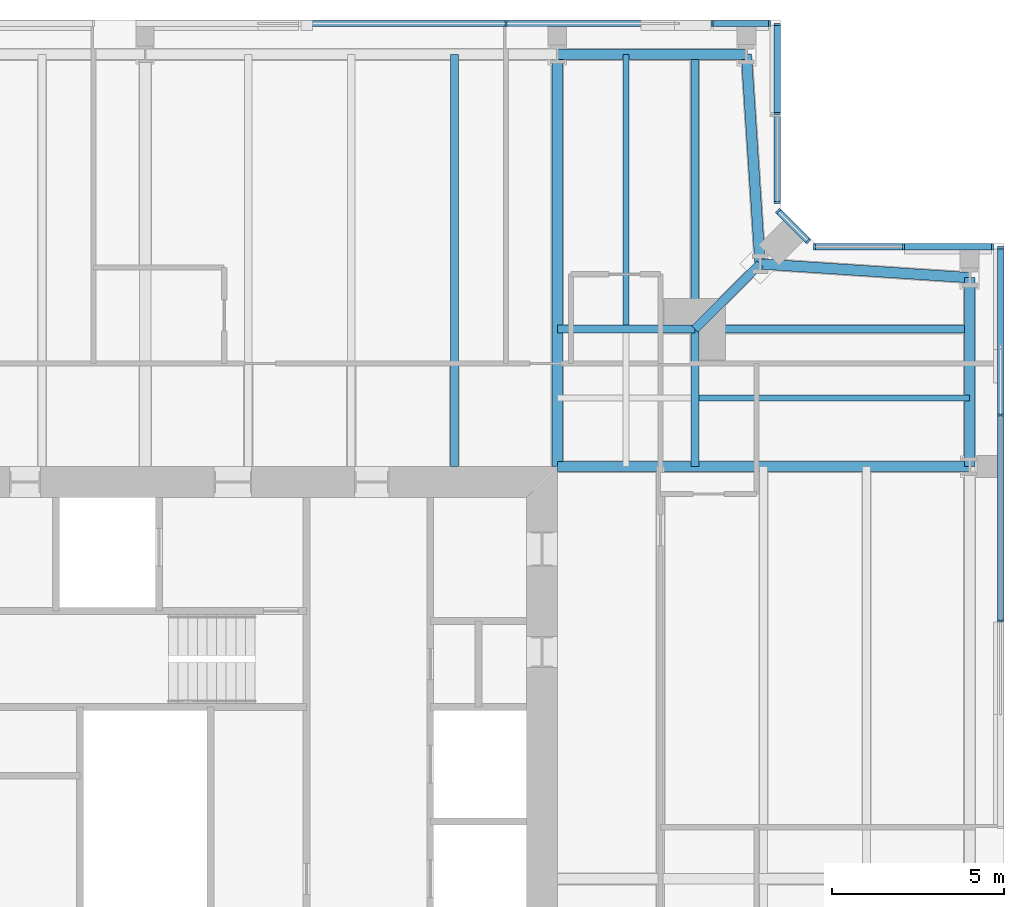
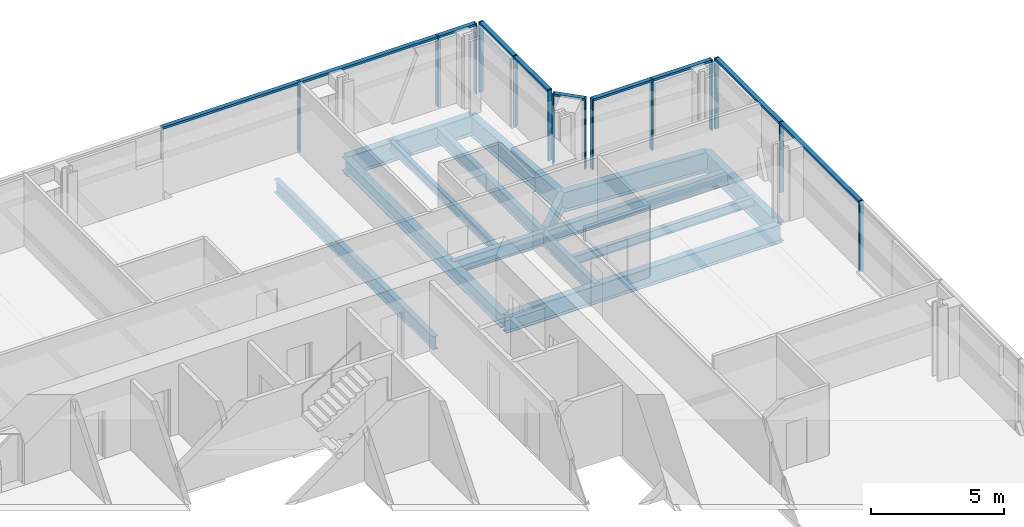
# One storey, part 9 of 20: 24 members, 14 beams, 5 elements without a shape of their own.
"""IFC4 building model written with IfcOpenShell, lengths in metres."""

import ifcopenshell
import ifcopenshell.guid

model = None  # the IFC model being written
_history = None  # IfcOwnerHistory: only IFC2X3 demands one
_inside = {}  # id of a spatial element -> (the spatial element, [elements in it])
_under = {}  # id of a project, library or spatial element -> (it, [spatial elements below it])
_declared = {}  # id of a project -> (the project, [libraries it declares])
_typed = {}  # id of a type object -> (the type object, [elements of that type])
_made_of = {}  # id of a material, layer set ... -> (it, [elements and type objects made of it])


def new_model(schema):
    """Start an empty IFC model of exactly this schema.

    Asked for "IFC4X3", IfcOpenShell would pick the latest addendum, in which some entities
    have other attributes; the version numbers below select the first issue.
    IFC2X3 requires an IfcOwnerHistory on every rooted entity: one is made here for all.
    """
    global model, _history
    if schema == "IFC4X3":
        model = ifcopenshell.file(schema_version=(4, 3, 0, 0))
    else:
        model = ifcopenshell.file(schema=schema)
    _inside.clear()
    _under.clear()
    _declared.clear()
    _typed.clear()
    _made_of.clear()
    _history = None
    if model.schema == "IFC2X3":
        org = make("IfcOrganization", Name="unknown")
        user = make(
            "IfcPersonAndOrganization",
            ThePerson=make("IfcPerson", FamilyName="unknown"),
            TheOrganization=org,
        )
        app = make(
            "IfcApplication",
            ApplicationDeveloper=org,
            Version="unknown",
            ApplicationFullName="unknown",
            ApplicationIdentifier="unknown",
        )
        _history = make(
            "IfcOwnerHistory",
            OwningUser=user,
            OwningApplication=app,
            ChangeAction="ADDED",
            CreationDate=0,
        )
    return model


def make(cls, **values):
    """One entity of the class cls with the attributes given. An attribute that is None is left unset."""
    return model.create_entity(
        cls, **{name: value for name, value in values.items() if value is not None}
    )


def rooted(cls, **values):
    """An entity with a GlobalId (a new one), such as an element, a storey or a relation."""
    return make(cls, GlobalId=ifcopenshell.guid.new(), OwnerHistory=_history, **values)


def si_unit(unit_type, name, prefix=None):
    """IfcSIUnit, for example si_unit("LENGTHUNIT", "METRE", prefix="MILLI")."""
    return make("IfcSIUnit", UnitType=unit_type, Prefix=prefix, Name=name)


def assignment(units):
    """IfcUnitAssignment: the units of a project."""
    return None if units is None else make("IfcUnitAssignment", Units=units)


def point(xyz):
    """IfcCartesianPoint."""
    return None if xyz is None else make("IfcCartesianPoint", Coordinates=xyz)


def direction(xyz):
    """IfcDirection."""
    return None if xyz is None else make("IfcDirection", DirectionRatios=xyz)


def frame(location, z_axis=None, x_axis=None):
    """IfcAxis2Placement3D, a coordinate frame: its origin and axes. An axis left out is left unset."""
    return make(
        "IfcAxis2Placement3D",
        Location=point(location),
        Axis=direction(z_axis),
        RefDirection=direction(x_axis),
    )


def frame_2d(location, x_axis=None):
    """IfcAxis2Placement2D, a coordinate frame in the plane: its origin and x axis."""
    return make(
        "IfcAxis2Placement2D", Location=point(location), RefDirection=direction(x_axis)
    )


def origin():
    """The frame at (0, 0, 0) with its axes left unset."""
    return frame((0.0, 0.0, 0.0))


def origin_2d():
    """The frame at (0, 0) in the plane with its x axis left unset."""
    return frame_2d((0.0, 0.0))


def place(relative_to, where):
    """IfcLocalPlacement: puts the frame where relative to a parent placement (None: the world)."""
    return make(
        "IfcLocalPlacement", PlacementRelTo=relative_to, RelativePlacement=where
    )


def context(
    kind, dimensions, precision=None, world=None, true_north=None, identifier=None
):
    """IfcGeometricRepresentationContext, for example the 3D "Model" context."""
    return make(
        "IfcGeometricRepresentationContext",
        ContextIdentifier=identifier,
        ContextType=kind,
        CoordinateSpaceDimension=dimensions,
        Precision=precision,
        WorldCoordinateSystem=world,
        TrueNorth=true_north,
    )


def subcontext(parent, identifier, kind, view, scale=None):
    """IfcGeometricRepresentationSubContext, for example "Body" below "Model"."""
    return make(
        "IfcGeometricRepresentationSubContext",
        ContextIdentifier=identifier,
        ContextType=kind,
        ParentContext=parent,
        TargetScale=scale,
        TargetView=view,
    )


def project(units=None, contexts=None):
    """IfcProject with its units and contexts."""
    return rooted(
        "IfcProject",
        Name="project",
        RepresentationContexts=contexts,
        UnitsInContext=assignment(units),
    )


def spatial(cls, under=None, at=None, **own):
    """A site, building, storey or space (cls), placed at a placement, below another one or the project."""
    s = rooted(cls, ObjectPlacement=at, **own)
    if under is not None:
        _under.setdefault(under.id(), (under, []))[1].append(s)
    return s


def profile(cls, at=None, kind="AREA", **sizes):
    """A parametric profile (cls). Its sizes go by their IFC names, for example OverallWidth=200.0."""
    return make(cls, ProfileType=kind, Position=at, **sizes)


def rectangle(**sizes):
    """IfcRectangleProfileDef."""
    return profile("IfcRectangleProfileDef", **sizes)


def i_section(**sizes):
    """IfcIShapeProfileDef."""
    return profile("IfcIShapeProfileDef", **sizes)


def extrude(swept, where, along, depth):
    """IfcExtrudedAreaSolid: the profile swept, set in the frame where, extruded along a direction by depth."""
    return make(
        "IfcExtrudedAreaSolid",
        SweptArea=swept,
        Position=where,
        ExtrudedDirection=direction(along),
        Depth=depth,
    )


def shape(context_of_items, identifier, shape_type, items):
    """IfcShapeRepresentation: the items that make up one representation, for example the "Body"."""
    return make(
        "IfcShapeRepresentation",
        ContextOfItems=context_of_items,
        RepresentationIdentifier=identifier,
        RepresentationType=shape_type,
        Items=items,
    )


def material(Name=None, Category=None):
    """IfcMaterial."""
    return make("IfcMaterial", Name=Name, Category=Category)


def material_profile(
    of_material, cross_section, Name=None, Category=None, Priority=None
):
    """IfcMaterialProfile: a cross section and its material."""
    return make(
        "IfcMaterialProfile",
        Name=Name,
        Material=of_material,
        Profile=cross_section,
        Priority=Priority,
        Category=Category,
    )


def profile_set(profiles, Name=None, composite=None):
    """IfcMaterialProfileSet."""
    return make(
        "IfcMaterialProfileSet",
        Name=Name,
        MaterialProfiles=profiles,
        CompositeProfile=composite,
    )


def made_of(thing, what):
    """Note that an element or type object is made of a material, layer set ...; save() writes the relation."""
    if what is not None:
        _made_of.setdefault(what.id(), (what, []))[1].append(thing)
    return thing


def type_object(cls, material=None, **own):
    """A type object (cls), such as IfcWallType, which elements share."""
    return made_of(rooted(cls, **own), material)


def element(
    cls,
    number,
    at=None,
    inside=None,
    cuts=None,
    type_object=None,
    material=None,
    context=None,
    identifier="Body",
    shape_type=None,
    held_by="IfcProductDefinitionShape",
    body=None,
    shapes=None,
    **own,
):
    """One element of the class cls, such as IfcWall. Its Tag is "e" and its number.

    at: its placement. inside: the storey or other place that contains it. cuts: it is an
    opening in that element (IfcRelVoidsElement). A single representation is given by context,
    identifier, shape_type and body (its items); several are given by shapes. held_by: the class
    of the entity that holds the representations. save() writes the other relations.
    """
    e = rooted(cls, Tag="e%d" % number, ObjectPlacement=at, **own)
    if body is not None:
        shapes = [shape(context, identifier, shape_type, body)]
    if shapes is not None:
        e.Representation = make(held_by, Representations=shapes)
    if inside is not None:
        _inside.setdefault(inside.id(), (inside, []))[1].append(e)
    if cuts is not None:
        rooted(
            "IfcRelVoidsElement", RelatingBuildingElement=cuts, RelatedOpeningElement=e
        )
    if type_object is not None:
        _typed.setdefault(type_object.id(), (type_object, []))[1].append(e)
    return made_of(e, material)


def aggregate(whole, parts):
    """IfcRelAggregates: a whole, such as a stair, and the parts it consists of."""
    return rooted("IfcRelAggregates", RelatingObject=whole, RelatedObjects=parts)


def save(model, path):
    """Write the relations noted so far, then the file.

    IfcRelAggregates (storeys below a building ...), IfcRelContainedInSpatialStructure (elements
    in a storey), IfcRelDefinesByType, IfcRelAssociatesMaterial and IfcRelDeclares: one each for
    every whole, place, type object, material and project.
    """
    for whole, parts in _under.values():
        aggregate(whole, parts)
    for where, things in _inside.values():
        rooted(
            "IfcRelContainedInSpatialStructure",
            RelatedElements=things,
            RelatingStructure=where,
        )
    for kind, things in _typed.values():
        rooted("IfcRelDefinesByType", RelatedObjects=things, RelatingType=kind)
    for what, things in _made_of.values():
        rooted("IfcRelAssociatesMaterial", RelatedObjects=things, RelatingMaterial=what)
    for by, libraries in _declared.values():
        rooted("IfcRelDeclares", RelatingContext=by, RelatedDefinitions=libraries)
    model.write(path)


model = new_model("IFC4")

# Units and contexts
model_context = context("Model", 3, precision=1e-05, world=origin(), true_north=direction((0.0, 1.0)))
body_context = subcontext(model_context, "Body", "Model", "MODEL_VIEW")
ifc_project = project(units=[si_unit("LENGTHUNIT", "METRE"), si_unit("AREAUNIT", "SQUARE_METRE"), si_unit("VOLUMEUNIT", "CUBIC_METRE"), si_unit("PLANEANGLEUNIT", "RADIAN"), si_unit("MASSUNIT", "GRAM", prefix="KILO")], contexts=[model_context])

# Site, building, storey
site_placement = place(None, origin())
site = spatial("IfcSite", under=ifc_project, at=site_placement, CompositionType="ELEMENT")
building_placement = place(site_placement, origin())
building = spatial("IfcBuilding", under=site, at=building_placement, Name="Fenwick Lantern Interchange", CompositionType="ELEMENT")
storey_placement = place(building_placement, frame((0.0, 0.0, 279.800048828125)))
storey = spatial("IfcBuildingStorey", under=building, at=storey_placement, Name="L67", CompositionType="ELEMENT", Elevation=279.800048828125)

# Beams
ifc_material_1 = material(Name="Steel ASTM A992 Grade 50", Category="steel")
ifc_material_profile_1 = material_profile(ifc_material_1, i_section(OverallWidth=0.3046875, OverallDepth=0.911865234375, WebThickness=0.015869140625, FlangeThickness=0.02392578125, at=origin_2d()), Name="W36X150")
ifc_profile_set_1 = profile_set([ifc_material_profile_1], Name="Steel ASTM A992 Grade 50")
beam_type_1 = type_object("IfcBeamType", Name="EDGE BEAM W36X150", PredefinedType="SPANDREL", material=ifc_profile_set_1)
beam_1_placement = place(storey_placement, frame((49.0, 37.0, -0.60595703125), z_axis=(0.0, 1.0, 0.0), x_axis=(-1.0, 0.0, 0.0)))
element("IfcBeam", 1, at=beam_1_placement, inside=storey, type_object=beam_type_1, Name="L67/FR/E/EB4", PredefinedType="SPANDREL", context=body_context, shape_type="SweptSolid", body=[
    extrude(i_section(OverallWidth=0.3046875, OverallDepth=0.911865234375, WebThickness=0.015869140625, FlangeThickness=0.02392578125, at=origin_2d()), origin(), (0.0, 0.0, 1.0), 5.5),
])
for number, where, z_axis, x_axis, name in (
    (2, (49.0, 42.5, -0.60595703125), (-0.997858060337, 0.065416293237, 0.0), (-0.065416293237, -0.997858060337, 0.0), "L67/FR/E/EBR1"),
    (3, (42.89990234375, 42.89990234375, -0.60595703125), (-0.065416293237, 0.997858060337, 0.0), (-0.997858060337, -0.065416293237, 0.0), "L67/FR/E/EBR2"),
):
    element("IfcBeam", number, at=place(storey_placement, frame(where, z_axis=z_axis, x_axis=x_axis)), inside=storey, type_object=beam_type_1, Name=name, PredefinedType="SPANDREL", context=body_context, shape_type="SweptSolid", body=[
        extrude(i_section(OverallWidth=0.3046875, OverallDepth=0.911865234375, WebThickness=0.015869140625, FlangeThickness=0.02392578125, at=origin_2d()), origin(), (0.0, 0.0, 1.0), 6.11328125),
    ])
beam_2_placement = place(storey_placement, frame((42.5, 49.0, -0.60595703125), z_axis=(-1.0, 0.0, 0.0), x_axis=(0.0, -1.0, 0.0)))
element("IfcBeam", 4, at=beam_2_placement, inside=storey, type_object=beam_type_1, Name="L67/FR/N/EB1", PredefinedType="SPANDREL", context=body_context, shape_type="SweptSolid", body=[
    extrude(i_section(OverallWidth=0.3046875, OverallDepth=0.911865234375, WebThickness=0.015869140625, FlangeThickness=0.02392578125, at=origin_2d()), origin(), (0.0, 0.0, 1.0), 5.5),
])
ifc_material_profile_2 = material_profile(ifc_material_1, i_section(OverallWidth=0.22900390625, OverallDepth=0.612060546875, WebThickness=0.011962890625, FlangeThickness=0.01953125, at=origin_2d()), Name="W24X84")
ifc_profile_set_2 = profile_set([ifc_material_profile_2], Name="Steel ASTM A992 Grade 50")
beam_type_2 = type_object("IfcBeamType", Name="FLOOR BEAM W24X84", PredefinedType="BEAM", material=ifc_profile_set_2)
beam_3_placement = place(storey_placement, frame((34.0, 49.0, -0.4560546875), z_axis=(0.0, -1.0, 0.0), x_axis=(1.0, 0.0, 0.0)))
element("IfcBeam", 5, at=beam_3_placement, inside=storey, type_object=beam_type_2, Name="L67/FR/N/R02", PredefinedType="BEAM", context=body_context, shape_type="SweptSolid", body=[
    extrude(i_section(OverallWidth=0.22900390625, OverallDepth=0.612060546875, WebThickness=0.011962890625, FlangeThickness=0.01953125, at=origin_2d()), origin(), (0.0, 0.0, 1.0), 12.0),
])

# Curtain wall, members
ifc_material_2 = material(Name="Aluminium curtain wall frame", Category="aluminium")
curtain_wall_type = type_object("IfcCurtainWallType", Name="HOTEL CURTAIN WALL", PredefinedType="USERDEFINED", material=ifc_material_2)
curtain_wall_1_placement = place(storey_placement, origin())
curtain_wall_1 = element("IfcCurtainWall", 6, at=curtain_wall_1_placement, inside=storey, type_object=curtain_wall_type, Name="Hotel curtain wall 05", ObjectType="HOTEL CURTAIN WALL", PredefinedType="USERDEFINED")
ifc_material_3 = material(Name="Aluminium extrusion", Category="aluminium")
ifc_material_profile_3 = material_profile(ifc_material_3, rectangle(XDim=0.179931640625, YDim=0.06005859375, at=origin_2d()), Name="HOTEL CURTAIN WALL MULLION 60 X 180")
ifc_profile_set_3 = profile_set([ifc_material_profile_3], Name="Aluminium extrusion")
member_type_1 = type_object("IfcMemberType", Name="HOTEL CURTAIN WALL MULLION 60 X 180", PredefinedType="MULLION", material=ifc_profile_set_3)
member_1_placement = place(storey_placement, frame((49.89990234375, 32.5, 0.0), z_axis=(0.0, 0.0, 1.0), x_axis=(-1.0, 0.0, 0.0)))
member_1 = element("IfcMember", 7, at=member_1_placement, type_object=member_type_1, Name="L67/CW/05/M05", PredefinedType="MULLION", context=body_context, shape_type="SweptSolid", body=[
    extrude(rectangle(XDim=0.179931640625, YDim=0.06005859375, at=origin_2d()), origin(), (0.0, 0.0, 1.0), 3.25),
])
member_2_placement = place(storey_placement, frame((49.89990234375, 38.5, 0.0), z_axis=(0.0, 0.0, 1.0), x_axis=(-1.0, 0.0, 0.0)))
member_2 = element("IfcMember", 8, at=member_2_placement, type_object=member_type_1, Name="L67/CW/05/M06", PredefinedType="MULLION", context=body_context, shape_type="SweptSolid", body=[
    extrude(rectangle(XDim=0.179931640625, YDim=0.06005859375, at=origin_2d()), origin(), (0.0, 0.0, 1.0), 3.25),
])
member_3_placement = place(storey_placement, frame((49.89990234375, 43.3701171875, 0.0), z_axis=(0.0, 0.0, 1.0), x_axis=(-1.0, 0.0, 0.0)))
member_3 = element("IfcMember", 9, at=member_3_placement, type_object=member_type_1, Name="L67/CW/05/M07", PredefinedType="MULLION", context=body_context, shape_type="SweptSolid", body=[
    extrude(rectangle(XDim=0.179931640625, YDim=0.06005859375, at=origin_2d()), origin(), (0.0, 0.0, 1.0), 3.25),
])

curtain_wall_2_placement = place(storey_placement, origin())
curtain_wall_2 = element("IfcCurtainWall", 10, at=curtain_wall_2_placement, inside=storey, type_object=curtain_wall_type, Name="Hotel curtain wall 06", ObjectType="HOTEL CURTAIN WALL", PredefinedType="USERDEFINED")
member_4_placement = place(storey_placement, frame((49.669921875, 43.39990234375, 0.0), z_axis=(0.0, 0.0, 1.0), x_axis=(0.0, -1.0, 0.0)))
member_4 = element("IfcMember", 11, at=member_4_placement, type_object=member_type_1, Name="L67/CW/06/M00", PredefinedType="MULLION", context=body_context, shape_type="SweptSolid", body=[
    extrude(rectangle(XDim=0.179931640625, YDim=0.06005859375, at=origin_2d()), origin(), (0.0, 0.0, 1.0), 3.25),
])
member_5_placement = place(storey_placement, frame((47.079345703125, 43.39990234375, 0.0), z_axis=(0.0, 0.0, 1.0), x_axis=(0.0, -1.0, 0.0)))
member_5 = element("IfcMember", 12, at=member_5_placement, type_object=member_type_1, Name="L67/CW/06/M01", PredefinedType="MULLION", context=body_context, shape_type="SweptSolid", body=[
    extrude(rectangle(XDim=0.179931640625, YDim=0.06005859375, at=origin_2d()), origin(), (0.0, 0.0, 1.0), 3.25),
])
member_6_placement = place(storey_placement, frame((44.488525390625, 43.39990234375, 0.0), z_axis=(0.0, 0.0, 1.0), x_axis=(0.0, -1.0, 0.0)))
member_6 = element("IfcMember", 13, at=member_6_placement, type_object=member_type_1, Name="L67/CW/06/M02", PredefinedType="MULLION", context=body_context, shape_type="SweptSolid", body=[
    extrude(rectangle(XDim=0.179931640625, YDim=0.06005859375, at=origin_2d()), origin(), (0.0, 0.0, 1.0), 3.25),
])

curtain_wall_3_placement = place(storey_placement, origin())
curtain_wall_3 = element("IfcCurtainWall", 14, at=curtain_wall_3_placement, inside=storey, type_object=curtain_wall_type, Name="Hotel curtain wall 07", ObjectType="HOTEL CURTAIN WALL", PredefinedType="USERDEFINED")
member_7_placement = place(storey_placement, frame((44.2958984375, 43.562744140625, 0.0), z_axis=(0.0, 0.0, 1.0), x_axis=(-0.707106781187, -0.707106781187, 0.0)))
member_7 = element("IfcMember", 15, at=member_7_placement, type_object=member_type_1, Name="L67/CW/07/M00", PredefinedType="MULLION", context=body_context, shape_type="SweptSolid", body=[
    extrude(rectangle(XDim=0.179931640625, YDim=0.06005859375, at=origin_2d()), origin(), (0.0, 0.0, 1.0), 3.25),
])
member_8_placement = place(storey_placement, frame((43.421142578125, 44.437255859375, 0.0), z_axis=(0.0, 0.0, 1.0), x_axis=(-0.707106781187, -0.707106781187, 0.0)))
member_8 = element("IfcMember", 16, at=member_8_placement, type_object=member_type_1, Name="L67/CW/07/M01", PredefinedType="MULLION", context=body_context, shape_type="SweptSolid", body=[
    extrude(rectangle(XDim=0.179931640625, YDim=0.06005859375, at=origin_2d()), origin(), (0.0, 0.0, 1.0), 3.25),
])

curtain_wall_4_placement = place(storey_placement, origin())
curtain_wall_4 = element("IfcCurtainWall", 17, at=curtain_wall_4_placement, inside=storey, type_object=curtain_wall_type, Name="Hotel curtain wall 08", ObjectType="HOTEL CURTAIN WALL", PredefinedType="USERDEFINED")
member_9_placement = place(storey_placement, frame((43.39990234375, 44.6884765625, 0.0), z_axis=(0.0, 0.0, 1.0), x_axis=(-1.0, 0.0, 0.0)))
member_9 = element("IfcMember", 18, at=member_9_placement, type_object=member_type_1, Name="L67/CW/08/M00", PredefinedType="MULLION", context=body_context, shape_type="SweptSolid", body=[
    extrude(rectangle(XDim=0.179931640625, YDim=0.06005859375, at=origin_2d()), origin(), (0.0, 0.0, 1.0), 3.25),
])
member_10_placement = place(storey_placement, frame((43.39990234375, 47.279296875, 0.0), z_axis=(0.0, 0.0, 1.0), x_axis=(-1.0, 0.0, 0.0)))
member_10 = element("IfcMember", 19, at=member_10_placement, type_object=member_type_1, Name="L67/CW/08/M01", PredefinedType="MULLION", context=body_context, shape_type="SweptSolid", body=[
    extrude(rectangle(XDim=0.179931640625, YDim=0.06005859375, at=origin_2d()), origin(), (0.0, 0.0, 1.0), 3.25),
])
member_11_placement = place(storey_placement, frame((43.39990234375, 49.8701171875, 0.0), z_axis=(0.0, 0.0, 1.0), x_axis=(-1.0, 0.0, 0.0)))
member_11 = element("IfcMember", 20, at=member_11_placement, type_object=member_type_1, Name="L67/CW/08/M02", PredefinedType="MULLION", context=body_context, shape_type="SweptSolid", body=[
    extrude(rectangle(XDim=0.179931640625, YDim=0.06005859375, at=origin_2d()), origin(), (0.0, 0.0, 1.0), 3.25),
])

curtain_wall_5_placement = place(storey_placement, origin())
curtain_wall_5 = element("IfcCurtainWall", 21, at=curtain_wall_5_placement, inside=storey, type_object=curtain_wall_type, Name="Hotel curtain wall 09", ObjectType="HOTEL CURTAIN WALL", PredefinedType="USERDEFINED")
member_12_placement = place(storey_placement, frame((43.169921875, 49.89990234375, 0.0), z_axis=(0.0, 0.0, 1.0), x_axis=(0.0, -1.0, 0.0)))
member_12 = element("IfcMember", 22, at=member_12_placement, type_object=member_type_1, Name="L67/CW/09/M00", PredefinedType="MULLION", context=body_context, shape_type="SweptSolid", body=[
    extrude(rectangle(XDim=0.179931640625, YDim=0.06005859375, at=origin_2d()), origin(), (0.0, 0.0, 1.0), 3.25),
])
member_13_placement = place(storey_placement, frame((41.5, 49.89990234375, 0.0), z_axis=(0.0, 0.0, 1.0), x_axis=(0.0, -1.0, 0.0)))
member_13 = element("IfcMember", 23, at=member_13_placement, type_object=member_type_1, Name="L67/CW/09/M01", PredefinedType="MULLION", context=body_context, shape_type="SweptSolid", body=[
    extrude(rectangle(XDim=0.179931640625, YDim=0.06005859375, at=origin_2d()), origin(), (0.0, 0.0, 1.0), 3.25),
])
member_14_placement = place(storey_placement, frame((35.5, 49.89990234375, 0.0), z_axis=(0.0, 0.0, 1.0), x_axis=(0.0, -1.0, 0.0)))
member_14 = element("IfcMember", 24, at=member_14_placement, type_object=member_type_1, Name="L67/CW/09/M02", PredefinedType="MULLION", context=body_context, shape_type="SweptSolid", body=[
    extrude(rectangle(XDim=0.179931640625, YDim=0.06005859375, at=origin_2d()), origin(), (0.0, 0.0, 1.0), 3.25),
])

# Member
ifc_material_profile_4 = material_profile(ifc_material_3, rectangle(XDim=0.179931640625, YDim=0.10009765625, at=origin_2d()), Name="HOTEL CURTAIN WALL TRANSOM 100 X 180")
ifc_profile_set_4 = profile_set([ifc_material_profile_4], Name="Aluminium extrusion")
member_type_2 = type_object("IfcMemberType", Name="HOTEL CURTAIN WALL TRANSOM 100 X 180", PredefinedType="MULLION", material=ifc_profile_set_4)
member_15_placement = place(storey_placement, frame((49.89990234375, 32.530029296875, 3.199951171875), z_axis=(0.0, 1.0, 0.0), x_axis=(-1.0, 0.0, 0.0)))
member_15 = element("IfcMember", 25, at=member_15_placement, type_object=member_type_2, Name="L67/CW/05/T05", PredefinedType="MULLION", context=body_context, shape_type="SweptSolid", body=[
    extrude(rectangle(XDim=0.179931640625, YDim=0.10009765625, at=origin_2d()), origin(), (0.0, 0.0, 1.0), 5.93994140625),
])

member_16_placement = place(storey_placement, frame((49.89990234375, 38.530029296875, 3.199951171875), z_axis=(0.0, 1.0, 0.0), x_axis=(-1.0, 0.0, 0.0)))
member_16 = element("IfcMember", 26, at=member_16_placement, type_object=member_type_2, Name="L67/CW/05/T06", PredefinedType="MULLION", context=body_context, shape_type="SweptSolid", body=[
    extrude(rectangle(XDim=0.179931640625, YDim=0.10009765625, at=origin_2d()), origin(), (0.0, 0.0, 1.0), 4.81005859375),
])

aggregate(curtain_wall_1, [member_1, member_2, member_3, member_15, member_16])

member_17_placement = place(storey_placement, frame((49.639892578125, 43.39990234375, 3.199951171875), z_axis=(-1.0, 0.0, 0.0), x_axis=(0.0, -1.0, 0.0)))
member_17 = element("IfcMember", 27, at=member_17_placement, type_object=member_type_2, Name="L67/CW/06/T00", PredefinedType="MULLION", context=body_context, shape_type="SweptSolid", body=[
    extrude(rectangle(XDim=0.179931640625, YDim=0.10009765625, at=origin_2d()), origin(), (0.0, 0.0, 1.0), 2.530517578125),
])

member_18_placement = place(storey_placement, frame((47.04931640625, 43.39990234375, 3.199951171875), z_axis=(-1.0, 0.0, 0.0), x_axis=(0.0, -1.0, 0.0)))
member_18 = element("IfcMember", 28, at=member_18_placement, type_object=member_type_2, Name="L67/CW/06/T01", PredefinedType="MULLION", context=body_context, shape_type="SweptSolid", body=[
    extrude(rectangle(XDim=0.179931640625, YDim=0.10009765625, at=origin_2d()), origin(), (0.0, 0.0, 1.0), 2.53076171875),
])

aggregate(curtain_wall_2, [member_4, member_5, member_6, member_17, member_18])

member_19_placement = place(storey_placement, frame((44.274658203125, 43.583740234375, 3.199951171875), z_axis=(-0.707003077033, 0.707210470133, 0.0), x_axis=(-0.707210470133, -0.707003077033, 0.0)))
member_19 = element("IfcMember", 29, at=member_19_placement, type_object=member_type_2, Name="L67/CW/07/T00", PredefinedType="MULLION", context=body_context, shape_type="SweptSolid", body=[
    extrude(rectangle(XDim=0.179931640625, YDim=0.10009765625, at=origin_2d()), origin(), (0.0, 0.0, 1.0), 1.17724609375),
])

aggregate(curtain_wall_3, [member_7, member_8, member_19])

member_20_placement = place(storey_placement, frame((43.39990234375, 44.718505859375, 3.199951171875), z_axis=(0.0, 1.0, 0.0), x_axis=(-1.0, 0.0, 0.0)))
member_20 = element("IfcMember", 30, at=member_20_placement, type_object=member_type_2, Name="L67/CW/08/T00", PredefinedType="MULLION", context=body_context, shape_type="SweptSolid", body=[
    extrude(rectangle(XDim=0.179931640625, YDim=0.10009765625, at=origin_2d()), origin(), (0.0, 0.0, 1.0), 2.53076171875),
])

member_21_placement = place(storey_placement, frame((43.39990234375, 47.309326171875, 3.199951171875), z_axis=(0.0, 1.0, 0.0), x_axis=(-1.0, 0.0, 0.0)))
member_21 = element("IfcMember", 31, at=member_21_placement, type_object=member_type_2, Name="L67/CW/08/T01", PredefinedType="MULLION", context=body_context, shape_type="SweptSolid", body=[
    extrude(rectangle(XDim=0.179931640625, YDim=0.10009765625, at=origin_2d()), origin(), (0.0, 0.0, 1.0), 2.53076171875),
])

aggregate(curtain_wall_4, [member_9, member_10, member_11, member_20, member_21])

member_22_placement = place(storey_placement, frame((43.139892578125, 49.89990234375, 3.199951171875), z_axis=(-1.0, 0.0, 0.0), x_axis=(0.0, -1.0, 0.0)))
member_22 = element("IfcMember", 32, at=member_22_placement, type_object=member_type_2, Name="L67/CW/09/T00", PredefinedType="MULLION", context=body_context, shape_type="SweptSolid", body=[
    extrude(rectangle(XDim=0.179931640625, YDim=0.10009765625, at=origin_2d()), origin(), (0.0, 0.0, 1.0), 1.60986328125),
])

member_23_placement = place(storey_placement, frame((41.469970703125, 49.89990234375, 3.199951171875), z_axis=(-1.0, 0.0, 0.0), x_axis=(0.0, -1.0, 0.0)))
member_23 = element("IfcMember", 33, at=member_23_placement, type_object=member_type_2, Name="L67/CW/09/T01", PredefinedType="MULLION", context=body_context, shape_type="SweptSolid", body=[
    extrude(rectangle(XDim=0.179931640625, YDim=0.10009765625, at=origin_2d()), origin(), (0.0, 0.0, 1.0), 5.93994140625),
])

member_24_placement = place(storey_placement, frame((35.469970703125, 49.89990234375, 3.199951171875), z_axis=(-1.0, 0.0, 0.0), x_axis=(0.0, -1.0, 0.0)))
member_24 = element("IfcMember", 34, at=member_24_placement, type_object=member_type_2, Name="L67/CW/09/T02", PredefinedType="MULLION", context=body_context, shape_type="SweptSolid", body=[
    extrude(rectangle(XDim=0.179931640625, YDim=0.10009765625, at=origin_2d()), origin(), (0.0, 0.0, 1.0), 5.93994140625),
])

aggregate(curtain_wall_5, [member_12, member_13, member_14, member_22, member_23, member_24])

# Beams
ifc_material_profile_5 = material_profile(ifc_material_1, i_section(OverallWidth=0.177734375, OverallDepth=0.406494140625, WebThickness=0.0078125, FlangeThickness=0.012939453125, at=origin_2d()), Name="W16X40")
ifc_profile_set_5 = profile_set([ifc_material_profile_5], Name="Steel ASTM A992 Grade 50")
beam_type_3 = type_object("IfcBeamType", Name="INFILL BEAM W16X40", PredefinedType="JOIST", material=ifc_profile_set_5)
for number, where, z_axis, x_axis, name in (
    (35, (39.0, 49.0, -0.353271484375), (0.0, -1.0, 0.0), (1.0, 0.0, 0.0), "L67/FR/N/J1"),
    (36, (49.0, 39.0, -0.353271484375), (-1.0, 0.0, 0.0), (0.0, -1.0, 0.0), "L67/FR/N/J3"),
):
    element("IfcBeam", number, at=place(storey_placement, frame(where, z_axis=z_axis, x_axis=x_axis)), inside=storey, type_object=beam_type_3, Name=name, PredefinedType="JOIST", context=body_context, shape_type="SweptSolid", body=[
        extrude(i_section(OverallWidth=0.177734375, OverallDepth=0.406494140625, WebThickness=0.0078125, FlangeThickness=0.012939453125, at=origin_2d()), origin(), (0.0, 0.0, 1.0), 7.885498046875),
    ])
ifc_material_profile_6 = material_profile(ifc_material_1, i_section(OverallWidth=0.22900390625, OverallDepth=0.612060546875, WebThickness=0.011962890625, FlangeThickness=0.01953125, at=origin_2d()), Name="W24X84")
ifc_profile_set_6 = profile_set([ifc_material_profile_6], Name="Steel ASTM A992 Grade 50")
beam_type_4 = type_object("IfcBeamType", Name="MEGA COLUMN BEAM W24X84", PredefinedType="BEAM", material=ifc_profile_set_6)
for number, where, z_axis, x_axis, name in (
    (37, (41.0, 41.0, -0.4560546875), (0.0, 1.0, 0.0), (-1.0, 0.0, 0.0), "L67/FR/N/MB1"),
    (38, (41.0, 41.0, -0.4560546875), (1.0, 0.0, 0.0), (0.0, 1.0, 0.0), "L67/FR/N/MB2"),
):
    element("IfcBeam", number, at=place(storey_placement, frame(where, z_axis=z_axis, x_axis=x_axis)), inside=storey, type_object=beam_type_4, Name=name, PredefinedType="BEAM", context=body_context, shape_type="SweptSolid", body=[
        extrude(i_section(OverallWidth=0.22900390625, OverallDepth=0.612060546875, WebThickness=0.011962890625, FlangeThickness=0.01953125, at=origin_2d()), origin(), (0.0, 0.0, 1.0), 8.0),
    ])
for number, where, z_axis, x_axis, name in (
    (39, (41.0, 41.0, -0.4560546875), (-1.0, 0.0, 0.0), (0.0, -1.0, 0.0), "L67/FR/N/MB3"),
    (40, (41.0, 41.0, -0.4560546875), (0.0, -1.0, 0.0), (1.0, 0.0, 0.0), "L67/FR/N/MB4"),
):
    element("IfcBeam", number, at=place(storey_placement, frame(where, z_axis=z_axis, x_axis=x_axis)), inside=storey, type_object=beam_type_4, Name=name, PredefinedType="BEAM", context=body_context, shape_type="SweptSolid", body=[
        extrude(i_section(OverallWidth=0.22900390625, OverallDepth=0.612060546875, WebThickness=0.011962890625, FlangeThickness=0.01953125, at=origin_2d()), origin(), (0.0, 0.0, 1.0), 4.0),
    ])
ifc_material_profile_7 = material_profile(ifc_material_1, i_section(OverallWidth=0.32763671875, OverallDepth=0.622314453125, WebThickness=0.015380859375, FlangeThickness=0.0244140625, at=origin_2d()), Name="W24X131")
ifc_profile_set_7 = profile_set([ifc_material_profile_7], Name="Steel ASTM A992 Grade 50")
beam_type_5 = type_object("IfcBeamType", Name="MOMENT-CONNECTED GIRDER W24X131", PredefinedType="BEAM", material=ifc_profile_set_7)
beam_4_placement = place(storey_placement, frame((37.0, 49.0, -0.461181640625), z_axis=(0.0, -1.0, 0.0), x_axis=(1.0, 0.0, 0.0)))
element("IfcBeam", 41, at=beam_4_placement, inside=storey, type_object=beam_type_5, Name="L67/FR/N/R01", PredefinedType="BEAM", context=body_context, shape_type="SweptSolid", body=[
    extrude(i_section(OverallWidth=0.32763671875, OverallDepth=0.622314453125, WebThickness=0.015380859375, FlangeThickness=0.0244140625, at=origin_2d()), origin(), (0.0, 0.0, 1.0), 12.0),
])
ifc_material_profile_8 = material_profile(ifc_material_1, i_section(OverallWidth=0.2919921875, OverallDepth=0.845703125, WebThickness=0.015380859375, FlangeThickness=0.0244140625, at=origin_2d()), Name="W33X141")
ifc_profile_set_8 = profile_set([ifc_material_profile_8], Name="Steel ASTM A992 Grade 50")
beam_type_6 = type_object("IfcBeamType", Name="MOMENT-CONNECTED GIRDER W33X141", PredefinedType="BEAM", material=ifc_profile_set_8)
beam_5_placement = place(storey_placement, frame((49.0, 37.0, -0.572998046875), z_axis=(-1.0, 0.0, 0.0), x_axis=(0.0, -1.0, 0.0)))
element("IfcBeam", 42, at=beam_5_placement, inside=storey, type_object=beam_type_6, Name="L67/FR/E/R03", PredefinedType="BEAM", context=body_context, shape_type="SweptSolid", body=[
    extrude(i_section(OverallWidth=0.2919921875, OverallDepth=0.845703125, WebThickness=0.015380859375, FlangeThickness=0.0244140625, at=origin_2d()), origin(), (0.0, 0.0, 1.0), 12.0),
])
ifc_material_profile_9 = material_profile(ifc_material_1, i_section(OverallWidth=0.2666015625, OverallDepth=0.7568359375, WebThickness=0.013916015625, FlangeThickness=0.019287109375, at=origin_2d()), Name="W30X108")
ifc_profile_set_9 = profile_set([ifc_material_profile_9], Name="Steel ASTM A992 Grade 50")
beam_type_7 = type_object("IfcBeamType", Name="NOTCH BEAM W30X108", PredefinedType="BEAM", material=ifc_profile_set_9)
beam_6_placement = place(storey_placement, frame((41.0, 41.0, -0.528564453125), z_axis=(0.707106781187, 0.707106781187, 0.0), x_axis=(-0.707106781187, 0.707106781187, 0.0)))
element("IfcBeam", 43, at=beam_6_placement, inside=storey, type_object=beam_type_7, Name="L67/FR/N/TG", PredefinedType="BEAM", context=body_context, shape_type="SweptSolid", body=[
    extrude(i_section(OverallWidth=0.2666015625, OverallDepth=0.7568359375, WebThickness=0.013916015625, FlangeThickness=0.019287109375, at=origin_2d()), origin(), (0.0, 0.0, 1.0), 2.686767578125),
])

save(model, "model.ifc")
